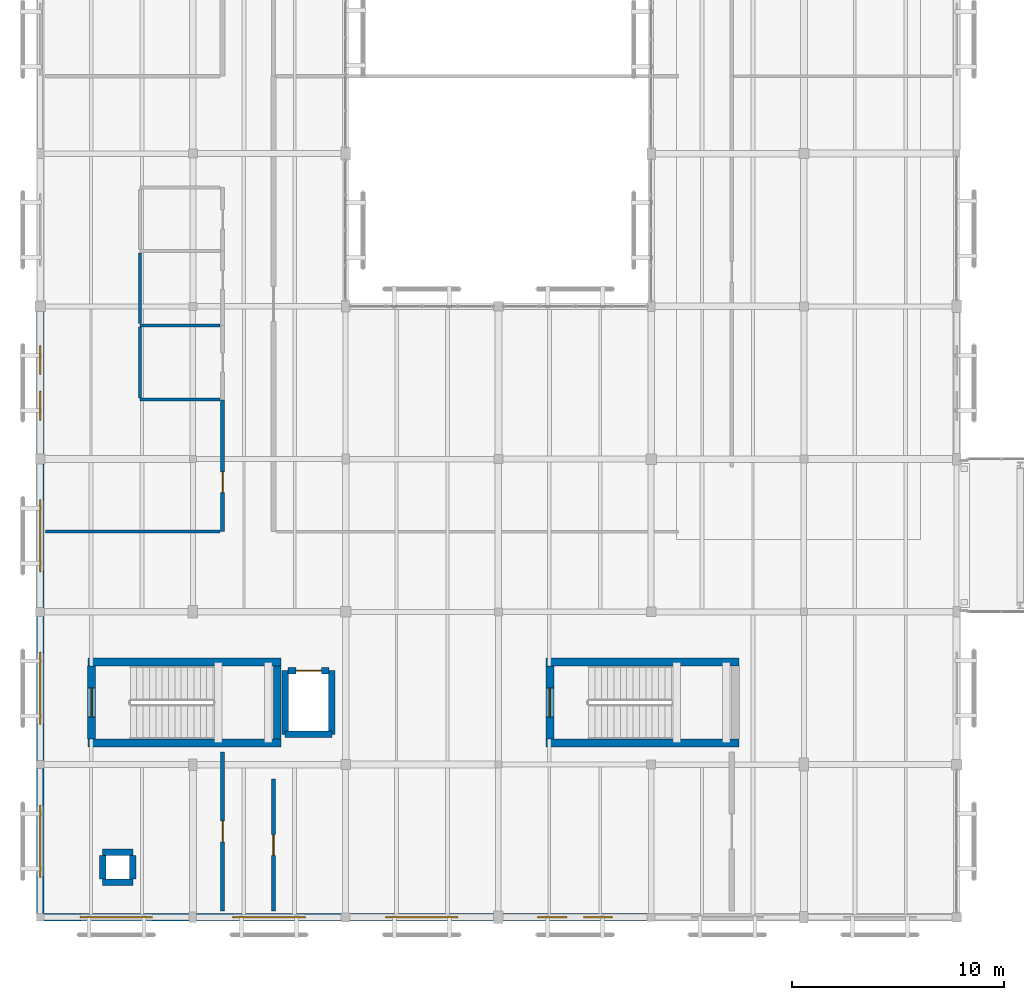
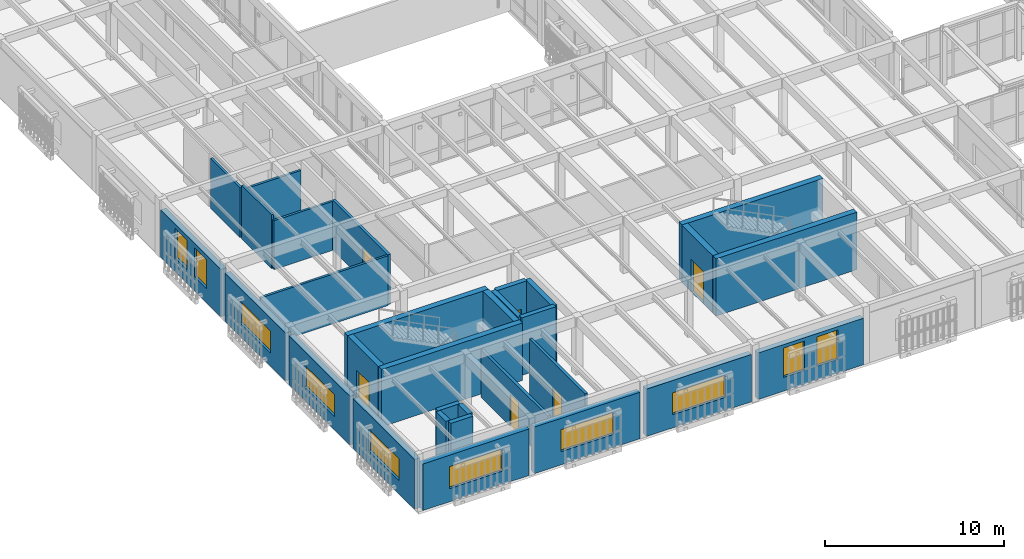
# One storey, part 79 of 112: 31 walls, 10 windows, 6 doors, 16 openings.
"""IFC4 building model written with IfcOpenShell, lengths in metres."""

from ifc_helpers import new_model, si_unit, direction, frame, frame_2d, origin, place, context, subcontext, project, spatial, rectangle, extrude, material, layer, layer_set, type_object, element, fill, save


model = new_model("IFC4")

# Units and contexts
model_context = context("Model", 3, precision=1e-05, world=origin(), true_north=direction((0.0, 1.0)))
body_context = subcontext(model_context, "Body", "Model", "MODEL_VIEW")
ifc_project = project(units=[si_unit("LENGTHUNIT", "METRE"), si_unit("AREAUNIT", "SQUARE_METRE"), si_unit("VOLUMEUNIT", "CUBIC_METRE"), si_unit("PLANEANGLEUNIT", "RADIAN"), si_unit("MASSUNIT", "GRAM", prefix="KILO")], contexts=[model_context])

# Site, building, storey
site_placement = place(None, origin())
site = spatial("IfcSite", under=ifc_project, at=site_placement, CompositionType="ELEMENT")
building_placement = place(site_placement, origin())
building = spatial("IfcBuilding", under=site, at=building_placement, Name="Mazaris Harbour Polytechnic", CompositionType="ELEMENT")
storey_placement = place(building_placement, frame((0.0, 0.0, 13.800048828125)))
storey = spatial("IfcBuildingStorey", under=building, at=storey_placement, Name="L03", CompositionType="ELEMENT", Elevation=13.800048828125)

# Wall
ifc_material_1 = material(Name="Double Gypsum and Mineral Wool")
ifc_layer_1 = layer(ifc_material_1, 0.14990234375, Name="Double Gypsum and Mineral Wool")
ifc_layer_set_1 = layer_set([ifc_layer_1], Name="Double Gypsum and Mineral Wool")
wall_type_1 = type_object("IfcWallType", Name="Classroom Acoustic Partition 150", PredefinedType="PARTITIONING", material=ifc_layer_set_1)
wall_1_placement = place(storey_placement, frame((0.25, 25.385009765625, 0.0), z_axis=(0.0, 0.0, 1.0), x_axis=(1.0, 0.0, 0.0)))
element("IfcWall", 1, at=wall_1_placement, inside=storey, type_object=wall_type_1, Name="V4 L03 Partition 409", PredefinedType="PARTITIONING", context=body_context, shape_type="SweptSolid", body=[
    extrude(rectangle(XDim=8.22998046875, YDim=0.14990234375, at=frame_2d((4.114990234375, 0.0))), origin(), (0.0, 0.0, 1.0), 3.39990234375),
])

# Wall, opening, door
ifc_material_2 = material(Name="Terracotta Block and Plaster", Category="masonry")
ifc_layer_2 = layer(ifc_material_2, 0.179931640625, Name="Terracotta Block and Plaster")
ifc_layer_set_2 = layer_set([ifc_layer_2], Name="Terracotta Block and Plaster")
wall_type_2 = type_object("IfcWallType", Name="Corridor Fire Partition 180", PredefinedType="PARTITIONING", material=ifc_layer_set_2)
wall_2_placement = place(storey_placement, frame((8.60009765625, 7.5, 0.0), z_axis=(0.0, 0.0, 1.0), x_axis=(0.0, 1.0, 0.0)))
wall_2 = element("IfcWall", 2, at=wall_2_placement, inside=storey, type_object=wall_type_2, Name="V4 L03 Partition 408", PredefinedType="PARTITIONING", context=body_context, shape_type="SweptSolid", body=[
    extrude(rectangle(XDim=7.4951171875, YDim=0.179931640625, at=frame_2d((3.74755859375, 0.0))), origin(), (0.0, 0.0, 1.0), 3.239990234375),
])
opening_1_placement = place(wall_2_placement, frame((3.25244140625, 0.0, 0.0)))
opening_1 = element("IfcOpeningElement", 3, at=opening_1_placement, cuts=wall_2, Name="Opening ID-08R", PredefinedType="OPENING", context=body_context, shape_type="SweptSolid", body=[
    extrude(rectangle(XDim=0.989990234375, YDim=2.179931640625, at=frame_2d((0.4951171875, 1.08984375))), frame((0.0, 0.099853515625, 0.0), z_axis=(0.0, -1.0, 0.0), x_axis=(1.0, 0.0, 0.0)), (0.0, 0.0, 1.0), 0.199951171875),
])
ifc_material_3 = material(Name="Solid Oak Timber", Category="wood")
door_type_1 = type_object("IfcDoorType", Name="Seminar Room Door RH 990x2180", OperationType="SINGLE_SWING_RIGHT", PredefinedType="DOOR", material=ifc_material_3)
door_1_placement = place(opening_1_placement, origin())
door_1 = element("IfcDoor", 4, at=door_1_placement, inside=storey, type_object=door_type_1, Name="ID-0192", OperationType="SINGLE_SWING_RIGHT", OverallHeight=2.179931640625, OverallWidth=0.989990234375, PredefinedType="DOOR", context=body_context, shape_type="SweptSolid", body=[
    extrude(rectangle(XDim=0.989990234375, YDim=2.179931640625, at=frame_2d((0.4951171875, 1.08984375))), frame((0.0, 0.02490234375, 0.0), z_axis=(0.0, -1.0, 0.0), x_axis=(1.0, 0.0, 0.0)), (0.0, 0.0, 1.0), 0.050048828125),
])
fill(opening_1, door_1)

wall_3_placement = place(storey_placement, frame((8.60009765625, 25.385009765625, 0.0), z_axis=(0.0, 0.0, 1.0), x_axis=(0.0, 1.0, 0.0)))
wall_3 = element("IfcWall", 5, at=wall_3_placement, inside=storey, type_object=wall_type_2, Name="V4 L03 Partition 410", PredefinedType="PARTITIONING", context=body_context, shape_type="SweptSolid", body=[
    extrude(rectangle(XDim=6.2099609375, YDim=0.179931640625, at=frame_2d((3.10498046875, 0.0))), origin(), (0.0, 0.0, 1.0), 3.39990234375),
])
opening_2_placement = place(wall_3_placement, frame((1.83056640625, 0.0, 0.0)))
opening_2 = element("IfcOpeningElement", 6, at=opening_2_placement, cuts=wall_3, Name="Opening ID-08L", PredefinedType="OPENING", context=body_context, shape_type="SweptSolid", body=[
    extrude(rectangle(XDim=0.97998046875, YDim=2.179931640625, at=frame_2d((0.489990234375, 1.08984375))), frame((0.0, 0.099853515625, 0.0), z_axis=(0.0, -1.0, 0.0), x_axis=(1.0, 0.0, 0.0)), (0.0, 0.0, 1.0), 0.199951171875),
])
ifc_material_4 = material(Name="Solid Oak Timber", Category="wood")
door_type_2 = type_object("IfcDoorType", Name="Seminar Room Door LH 980x2180", OperationType="SINGLE_SWING_LEFT", PredefinedType="DOOR", material=ifc_material_4)
door_2_placement = place(opening_2_placement, origin())
door_2 = element("IfcDoor", 7, at=door_2_placement, inside=storey, type_object=door_type_2, Name="ID-0193", OperationType="SINGLE_SWING_LEFT", OverallHeight=2.179931640625, OverallWidth=0.97998046875, PredefinedType="DOOR", context=body_context, shape_type="SweptSolid", body=[
    extrude(rectangle(XDim=0.97998046875, YDim=2.179931640625, at=frame_2d((0.489990234375, 1.08984375))), frame((0.0, 0.02490234375, 0.0), z_axis=(0.0, -1.0, 0.0), x_axis=(1.0, 0.0, 0.0)), (0.0, 0.0, 1.0), 0.050048828125),
])
fill(opening_2, door_2)

wall_4_placement = place(storey_placement, frame((11.0, 7.5, 0.0), z_axis=(0.0, 0.0, 1.0), x_axis=(0.0, 1.0, 0.0)))
wall_4 = element("IfcWall", 8, at=wall_4_placement, inside=storey, type_object=wall_type_2, Name="V4 L03 Partition 417", PredefinedType="PARTITIONING", context=body_context, shape_type="SweptSolid", body=[
    extrude(rectangle(XDim=6.219970703125, YDim=0.179931640625, at=frame_2d((3.10986328125, 0.0))), origin(), (0.0, 0.0, 1.0), 3.919921875),
])
opening_3_placement = place(wall_4_placement, frame((2.6201171875, 0.0, 0.0)))
opening_3 = element("IfcOpeningElement", 9, at=opening_3_placement, cuts=wall_4, Name="Opening ID-08L", PredefinedType="OPENING", context=body_context, shape_type="SweptSolid", body=[
    extrude(rectangle(XDim=0.97998046875, YDim=2.179931640625, at=frame_2d((0.489990234375, 1.08984375))), frame((0.0, 0.099853515625, 0.0), z_axis=(0.0, -1.0, 0.0), x_axis=(1.0, 0.0, 0.0)), (0.0, 0.0, 1.0), 0.199951171875),
])
door_3_placement = place(opening_3_placement, origin())
door_3 = element("IfcDoor", 10, at=door_3_placement, inside=storey, type_object=door_type_2, Name="ID-0197", OperationType="SINGLE_SWING_LEFT", OverallHeight=2.179931640625, OverallWidth=0.97998046875, PredefinedType="DOOR", context=body_context, shape_type="SweptSolid", body=[
    extrude(rectangle(XDim=0.97998046875, YDim=2.179931640625, at=frame_2d((0.489990234375, 1.08984375))), frame((0.0, 0.02490234375, 0.0), z_axis=(0.0, -1.0, 0.0), x_axis=(1.0, 0.0, 0.0)), (0.0, 0.0, 1.0), 0.050048828125),
])
fill(opening_3, door_3)

# Wall, opening, window
ifc_material_5 = material(Name="Algerian Buff Limestone and Concrete C30/37", Category="masonry")
ifc_layer_3 = layer(ifc_material_5, 0.360107421875, Name="Algerian Buff Limestone and Concrete C30/37")
ifc_layer_set_3 = layer_set([ifc_layer_3], Name="Algerian Buff Limestone and Concrete C30/37")
wall_type_3 = type_object("IfcWallType", Name="Limestone Ashlar Exterior Wall 360", PredefinedType="STANDARD", material=ifc_layer_set_3)
wall_5_placement = place(storey_placement, frame((7.028076171875, 7.199951171875, 0.0), z_axis=(0.0, 0.0, 1.0), x_axis=(-1.0, 0.0, 0.0)))
wall_5 = element("IfcWall", 11, at=wall_5_placement, inside=storey, type_object=wall_type_3, Name="V4 L03 Exterior Wall 216", PredefinedType="STANDARD", context=body_context, shape_type="SweptSolid", body=[
    extrude(rectangle(XDim=6.865966796875, YDim=0.360107421875, at=frame_2d((3.43310546875, 0.0))), origin(), (0.0, 0.0, 1.0), 3.179931640625),
])
opening_4_placement = place(wall_5_placement, frame((1.73291015625, 0.0, 0.89990234375)))
opening_4 = element("IfcOpeningElement", 12, at=opening_4_placement, cuts=wall_5, Name="Opening WN-16", PredefinedType="OPENING", context=body_context, shape_type="SweptSolid", body=[
    extrude(rectangle(XDim=3.39990234375, YDim=1.5, at=frame_2d((1.699951171875, 0.75))), frame((0.0, 0.18994140625, 0.0), z_axis=(0.0, -1.0, 0.0), x_axis=(1.0, 0.0, 0.0)), (0.0, 0.0, 1.0), 0.380126953125),
])
ifc_material_6 = material(Name="Thermally Broken Bronze Aluminium and Low-E Glass", Category="aluminium")
window_type_1 = type_object("IfcWindowType", Name="Workshop Clerestory Ribbon 3400x1500", PartitioningType="DOUBLE_PANEL_VERTICAL", PredefinedType="WINDOW", material=ifc_material_6)
window_1_placement = place(opening_4_placement, origin())
window_1 = element("IfcWindow", 13, at=window_1_placement, inside=storey, type_object=window_type_1, Name="WN-0218", OverallHeight=1.5, OverallWidth=3.39990234375, PartitioningType="DOUBLE_PANEL_VERTICAL", PredefinedType="WINDOW", context=body_context, shape_type="SweptSolid", body=[
    extrude(rectangle(XDim=3.39990234375, YDim=1.5, at=frame_2d((1.699951171875, 0.75))), frame((0.0, 0.030029296875, 0.0), z_axis=(0.0, -1.0, 0.0), x_axis=(1.0, 0.0, 0.0)), (0.0, 0.0, 1.0), 0.06005859375),
])
fill(opening_4, window_1)

wall_6_placement = place(storey_placement, frame((14.197998046875, 7.199951171875, 0.0), z_axis=(0.0, 0.0, 1.0), x_axis=(-1.0, 0.0, 0.0)))
wall_6 = element("IfcWall", 14, at=wall_6_placement, inside=storey, type_object=wall_type_3, Name="V4 L03 Exterior Wall 217", PredefinedType="STANDARD", context=body_context, shape_type="SweptSolid", body=[
    extrude(rectangle(XDim=6.825927734375, YDim=0.360107421875, at=frame_2d((3.4130859375, 0.0))), origin(), (0.0, 0.0, 1.0), 3.179931640625),
])
opening_5_placement = place(wall_6_placement, frame((1.712890625, 0.0, 0.89990234375)))
opening_5 = element("IfcOpeningElement", 15, at=opening_5_placement, cuts=wall_6, Name="Opening WN-16", PredefinedType="OPENING", context=body_context, shape_type="SweptSolid", body=[
    extrude(rectangle(XDim=3.39990234375, YDim=1.5, at=frame_2d((1.699951171875, 0.75))), frame((0.0, 0.18994140625, 0.0), z_axis=(0.0, -1.0, 0.0), x_axis=(1.0, 0.0, 0.0)), (0.0, 0.0, 1.0), 0.380126953125),
])
window_2_placement = place(opening_5_placement, origin())
window_2 = element("IfcWindow", 16, at=window_2_placement, inside=storey, type_object=window_type_1, Name="WN-0219", OverallHeight=1.5, OverallWidth=3.39990234375, PartitioningType="DOUBLE_PANEL_VERTICAL", PredefinedType="WINDOW", context=body_context, shape_type="SweptSolid", body=[
    extrude(rectangle(XDim=3.39990234375, YDim=1.5, at=frame_2d((1.699951171875, 0.75))), frame((0.0, 0.030029296875, 0.0), z_axis=(0.0, -1.0, 0.0), x_axis=(1.0, 0.0, 0.0)), (0.0, 0.0, 1.0), 0.06005859375),
])
fill(opening_5, window_2)

wall_7_placement = place(storey_placement, frame((21.387939453125, 7.199951171875, 0.0), z_axis=(0.0, 0.0, 1.0), x_axis=(-1.0, 0.0, 0.0)))
wall_7 = element("IfcWall", 17, at=wall_7_placement, inside=storey, type_object=wall_type_3, Name="V4 L03 Exterior Wall 218", PredefinedType="STANDARD", context=body_context, shape_type="SweptSolid", body=[
    extrude(rectangle(XDim=6.785888671875, YDim=0.360107421875, at=frame_2d((3.39306640625, 0.0))), origin(), (0.0, 0.0, 1.0), 3.239990234375),
])
opening_6_placement = place(wall_7_placement, frame((1.693115234375, 0.0, 0.89990234375)))
opening_6 = element("IfcOpeningElement", 18, at=opening_6_placement, cuts=wall_7, Name="Opening WN-16", PredefinedType="OPENING", context=body_context, shape_type="SweptSolid", body=[
    extrude(rectangle(XDim=3.39990234375, YDim=1.5, at=frame_2d((1.699951171875, 0.75))), frame((0.0, 0.18994140625, 0.0), z_axis=(0.0, -1.0, 0.0), x_axis=(1.0, 0.0, 0.0)), (0.0, 0.0, 1.0), 0.380126953125),
])
window_3_placement = place(opening_6_placement, origin())
window_3 = element("IfcWindow", 19, at=window_3_placement, inside=storey, type_object=window_type_1, Name="WN-0220", OverallHeight=1.5, OverallWidth=3.39990234375, PartitioningType="DOUBLE_PANEL_VERTICAL", PredefinedType="WINDOW", context=body_context, shape_type="SweptSolid", body=[
    extrude(rectangle(XDim=3.39990234375, YDim=1.5, at=frame_2d((1.699951171875, 0.75))), frame((0.0, 0.030029296875, 0.0), z_axis=(0.0, -1.0, 0.0), x_axis=(1.0, 0.0, 0.0)), (0.0, 0.0, 1.0), 0.06005859375),
])
fill(opening_6, window_3)

# Wall, openings, windows
wall_8_placement = place(storey_placement, frame((28.617919921875, 7.199951171875, 0.0), z_axis=(0.0, 0.0, 1.0), x_axis=(-1.0, 0.0, 0.0)))
wall_8 = element("IfcWall", 20, at=wall_8_placement, inside=storey, type_object=wall_type_3, Name="V4 L03 Exterior Wall 219", PredefinedType="STANDARD", context=body_context, shape_type="SweptSolid", body=[
    extrude(rectangle(XDim=6.805908203125, YDim=0.360107421875, at=frame_2d((3.40283203125, 0.0))), origin(), (0.0, 0.0, 1.0), 3.179931640625),
])
opening_7_placement = place(wall_8_placement, frame((1.653076171875, 0.0, 0.949951171875)))
opening_7 = element("IfcOpeningElement", 21, at=opening_7_placement, cuts=wall_8, Name="Opening WN-30", PredefinedType="OPENING", context=body_context, shape_type="SweptSolid", body=[
    extrude(rectangle(XDim=1.35009765625, YDim=2.0, at=frame_2d((0.675048828125, 1.0))), frame((0.0, 0.18994140625, 0.0), z_axis=(0.0, -1.0, 0.0), x_axis=(1.0, 0.0, 0.0)), (0.0, 0.0, 1.0), 0.380126953125),
])
opening_8_placement = place(wall_8_placement, frame((3.802978515625, 0.0, 0.949951171875)))
opening_8 = element("IfcOpeningElement", 22, at=opening_8_placement, cuts=wall_8, Name="Opening WN-30", PredefinedType="OPENING", context=body_context, shape_type="SweptSolid", body=[
    extrude(rectangle(XDim=1.35009765625, YDim=2.0, at=frame_2d((0.675048828125, 1.0))), frame((0.0, 0.18994140625, 0.0), z_axis=(0.0, -1.0, 0.0), x_axis=(1.0, 0.0, 0.0)), (0.0, 0.0, 1.0), 0.380126953125),
])
ifc_material_7 = material(Name="Thermally Broken Bronze Aluminium and Low-E Glass", Category="aluminium")
window_type_2 = type_object("IfcWindowType", Name="Pavilion Side Window 1350x2000", PartitioningType="DOUBLE_PANEL_VERTICAL", PredefinedType="WINDOW", material=ifc_material_7)
window_4_placement = place(opening_7_placement, origin())
window_4 = element("IfcWindow", 23, at=window_4_placement, inside=storey, type_object=window_type_2, Name="WN-0221", OverallHeight=2.0, OverallWidth=1.35009765625, PartitioningType="DOUBLE_PANEL_VERTICAL", PredefinedType="WINDOW", context=body_context, shape_type="SweptSolid", body=[
    extrude(rectangle(XDim=1.35009765625, YDim=2.0, at=frame_2d((0.675048828125, 1.0))), frame((0.0, 0.030029296875, 0.0), z_axis=(0.0, -1.0, 0.0), x_axis=(1.0, 0.0, 0.0)), (0.0, 0.0, 1.0), 0.06005859375),
])
fill(opening_7, window_4)
window_5_placement = place(opening_8_placement, origin())
window_5 = element("IfcWindow", 24, at=window_5_placement, inside=storey, type_object=window_type_2, Name="WN-0222", OverallHeight=2.0, OverallWidth=1.35009765625, PartitioningType="DOUBLE_PANEL_VERTICAL", PredefinedType="WINDOW", context=body_context, shape_type="SweptSolid", body=[
    extrude(rectangle(XDim=1.35009765625, YDim=2.0, at=frame_2d((0.675048828125, 1.0))), frame((0.0, 0.030029296875, 0.0), z_axis=(0.0, -1.0, 0.0), x_axis=(1.0, 0.0, 0.0)), (0.0, 0.0, 1.0), 0.06005859375),
])
fill(opening_8, window_5)

# Wall, opening, window
wall_9_placement = place(storey_placement, frame((0.0, 7.362060546875, 0.0), z_axis=(0.0, 0.0, 1.0), x_axis=(0.0, 1.0, 0.0)))
wall_9 = element("IfcWall", 25, at=wall_9_placement, inside=storey, type_object=wall_type_3, Name="V4 L03 Exterior Wall 228", PredefinedType="STANDARD", context=body_context, shape_type="SweptSolid", body=[
    extrude(rectangle(XDim=6.85595703125, YDim=0.360107421875, at=frame_2d((3.427978515625, 0.0))), origin(), (0.0, 0.0, 1.0), 3.39990234375),
])
opening_9_placement = place(wall_9_placement, frame((1.72802734375, 0.0, 0.89990234375)))
opening_9 = element("IfcOpeningElement", 26, at=opening_9_placement, cuts=wall_9, Name="Opening WN-16", PredefinedType="OPENING", context=body_context, shape_type="SweptSolid", body=[
    extrude(rectangle(XDim=3.39990234375, YDim=1.5, at=frame_2d((1.699951171875, 0.75))), frame((0.0, 0.18994140625, 0.0), z_axis=(0.0, -1.0, 0.0), x_axis=(1.0, 0.0, 0.0)), (0.0, 0.0, 1.0), 0.380126953125),
])
window_6_placement = place(opening_9_placement, origin())
window_6 = element("IfcWindow", 27, at=window_6_placement, inside=storey, type_object=window_type_1, Name="WN-0237", OverallHeight=1.5, OverallWidth=3.39990234375, PartitioningType="DOUBLE_PANEL_VERTICAL", PredefinedType="WINDOW", context=body_context, shape_type="SweptSolid", body=[
    extrude(rectangle(XDim=3.39990234375, YDim=1.5, at=frame_2d((1.699951171875, 0.75))), frame((0.0, 0.030029296875, 0.0), z_axis=(0.0, -1.0, 0.0), x_axis=(1.0, 0.0, 0.0)), (0.0, 0.0, 1.0), 0.06005859375),
])
fill(opening_9, window_6)

wall_10_placement = place(storey_placement, frame((0.0, 14.58203125, 0.0), z_axis=(0.0, 0.0, 1.0), x_axis=(0.0, 1.0, 0.0)))
wall_10 = element("IfcWall", 28, at=wall_10_placement, inside=storey, type_object=wall_type_3, Name="V4 L03 Exterior Wall 229", PredefinedType="STANDARD", context=body_context, shape_type="SweptSolid", body=[
    extrude(rectangle(XDim=6.81591796875, YDim=0.360107421875, at=frame_2d((3.407958984375, 0.0))), origin(), (0.0, 0.0, 1.0), 3.33984375),
])
opening_10_placement = place(wall_10_placement, frame((1.7080078125, 0.0, 0.89990234375)))
opening_10 = element("IfcOpeningElement", 29, at=opening_10_placement, cuts=wall_10, Name="Opening WN-16", PredefinedType="OPENING", context=body_context, shape_type="SweptSolid", body=[
    extrude(rectangle(XDim=3.39990234375, YDim=1.5, at=frame_2d((1.699951171875, 0.75))), frame((0.0, 0.18994140625, 0.0), z_axis=(0.0, -1.0, 0.0), x_axis=(1.0, 0.0, 0.0)), (0.0, 0.0, 1.0), 0.380126953125),
])
window_7_placement = place(opening_10_placement, origin())
window_7 = element("IfcWindow", 30, at=window_7_placement, inside=storey, type_object=window_type_1, Name="WN-0238", OverallHeight=1.5, OverallWidth=3.39990234375, PartitioningType="DOUBLE_PANEL_VERTICAL", PredefinedType="WINDOW", context=body_context, shape_type="SweptSolid", body=[
    extrude(rectangle(XDim=3.39990234375, YDim=1.5, at=frame_2d((1.699951171875, 0.75))), frame((0.0, 0.030029296875, 0.0), z_axis=(0.0, -1.0, 0.0), x_axis=(1.0, 0.0, 0.0)), (0.0, 0.0, 1.0), 0.06005859375),
])
fill(opening_10, window_7)

wall_11_placement = place(storey_placement, frame((0.0, 21.802001953125, 0.0), z_axis=(0.0, 0.0, 1.0), x_axis=(0.0, 1.0, 0.0)))
wall_11 = element("IfcWall", 31, at=wall_11_placement, inside=storey, type_object=wall_type_3, Name="V4 L03 Exterior Wall 230", PredefinedType="STANDARD", context=body_context, shape_type="SweptSolid", body=[
    extrude(rectangle(XDim=6.77587890625, YDim=0.360107421875, at=frame_2d((3.387939453125, 0.0))), origin(), (0.0, 0.0, 1.0), 3.280029296875),
])
opening_11_placement = place(wall_11_placement, frame((1.68798828125, 0.0, 0.89990234375)))
opening_11 = element("IfcOpeningElement", 32, at=opening_11_placement, cuts=wall_11, Name="Opening WN-16", PredefinedType="OPENING", context=body_context, shape_type="SweptSolid", body=[
    extrude(rectangle(XDim=3.39990234375, YDim=1.5, at=frame_2d((1.699951171875, 0.75))), frame((0.0, 0.18994140625, 0.0), z_axis=(0.0, -1.0, 0.0), x_axis=(1.0, 0.0, 0.0)), (0.0, 0.0, 1.0), 0.380126953125),
])
window_8_placement = place(opening_11_placement, origin())
window_8 = element("IfcWindow", 33, at=window_8_placement, inside=storey, type_object=window_type_1, Name="WN-0239", OverallHeight=1.5, OverallWidth=3.39990234375, PartitioningType="DOUBLE_PANEL_VERTICAL", PredefinedType="WINDOW", context=body_context, shape_type="SweptSolid", body=[
    extrude(rectangle(XDim=3.39990234375, YDim=1.5, at=frame_2d((1.699951171875, 0.75))), frame((0.0, 0.030029296875, 0.0), z_axis=(0.0, -1.0, 0.0), x_axis=(1.0, 0.0, 0.0)), (0.0, 0.0, 1.0), 0.06005859375),
])
fill(opening_11, window_8)

# Wall, openings, windows
wall_12_placement = place(storey_placement, frame((0.0, 29.02197265625, 0.0), z_axis=(0.0, 0.0, 1.0), x_axis=(0.0, 1.0, 0.0)))
wall_12 = element("IfcWall", 34, at=wall_12_placement, inside=storey, type_object=wall_type_3, Name="V4 L03 Exterior Wall 231", PredefinedType="STANDARD", context=body_context, shape_type="SweptSolid", body=[
    extrude(rectangle(XDim=6.736083984375, YDim=0.360107421875, at=frame_2d((3.3681640625, 0.0))), origin(), (0.0, 0.0, 1.0), 3.239990234375),
])
opening_12_placement = place(wall_12_placement, frame((1.617919921875, 0.0, 0.949951171875)))
opening_12 = element("IfcOpeningElement", 35, at=opening_12_placement, cuts=wall_12, Name="Opening WN-30", PredefinedType="OPENING", context=body_context, shape_type="SweptSolid", body=[
    extrude(rectangle(XDim=1.35009765625, YDim=2.0, at=frame_2d((0.675048828125, 1.0))), frame((0.0, 0.18994140625, 0.0), z_axis=(0.0, -1.0, 0.0), x_axis=(1.0, 0.0, 0.0)), (0.0, 0.0, 1.0), 0.380126953125),
])
opening_13_placement = place(wall_12_placement, frame((3.76806640625, 0.0, 0.949951171875)))
opening_13 = element("IfcOpeningElement", 36, at=opening_13_placement, cuts=wall_12, Name="Opening WN-30", PredefinedType="OPENING", context=body_context, shape_type="SweptSolid", body=[
    extrude(rectangle(XDim=1.35009765625, YDim=2.0, at=frame_2d((0.675048828125, 1.0))), frame((0.0, 0.18994140625, 0.0), z_axis=(0.0, -1.0, 0.0), x_axis=(1.0, 0.0, 0.0)), (0.0, 0.0, 1.0), 0.380126953125),
])
window_9_placement = place(opening_12_placement, origin())
window_9 = element("IfcWindow", 37, at=window_9_placement, inside=storey, type_object=window_type_2, Name="WN-0240", OverallHeight=2.0, OverallWidth=1.35009765625, PartitioningType="DOUBLE_PANEL_VERTICAL", PredefinedType="WINDOW", context=body_context, shape_type="SweptSolid", body=[
    extrude(rectangle(XDim=1.35009765625, YDim=2.0, at=frame_2d((0.675048828125, 1.0))), frame((0.0, 0.030029296875, 0.0), z_axis=(0.0, -1.0, 0.0), x_axis=(1.0, 0.0, 0.0)), (0.0, 0.0, 1.0), 0.06005859375),
])
fill(opening_12, window_9)
window_10_placement = place(opening_13_placement, origin())
window_10 = element("IfcWindow", 38, at=window_10_placement, inside=storey, type_object=window_type_2, Name="WN-0241", OverallHeight=2.0, OverallWidth=1.35009765625, PartitioningType="DOUBLE_PANEL_VERTICAL", PredefinedType="WINDOW", context=body_context, shape_type="SweptSolid", body=[
    extrude(rectangle(XDim=1.35009765625, YDim=2.0, at=frame_2d((0.675048828125, 1.0))), frame((0.0, 0.030029296875, 0.0), z_axis=(0.0, -1.0, 0.0), x_axis=(1.0, 0.0, 0.0)), (0.0, 0.0, 1.0), 0.06005859375),
])
fill(opening_13, window_10)

# Walls
ifc_material_8 = material(Name="Concrete C40/50", Category="concrete")
ifc_layer_4 = layer(ifc_material_8, 0.375, Name="Concrete C40/50")
ifc_layer_set_4 = layer_set([ifc_layer_4], Name="Concrete C40/50")
wall_type_4 = type_object("IfcWallType", Name="RC Core Shear Wall 375", PredefinedType="SHEAR", material=ifc_layer_set_4)
for number, where, z_axis, x_axis, name in (
    (39, (2.25, 15.425048828125, 0.0), (0.0, 0.0, 1.0), (1.0, 0.0, 0.0), "Core ST07 L03 Shear Wall S"),
    (40, (11.35009765625, 19.22509765625, 0.0), (0.0, 0.0, 1.0), (-1.0, 0.0, 0.0), "Core ST07 L03 Shear Wall N"),
):
    element("IfcWall", number, at=place(storey_placement, frame(where, z_axis=z_axis, x_axis=x_axis)), inside=storey, type_object=wall_type_4, Name=name, PredefinedType="SHEAR", context=body_context, shape_type="SweptSolid", body=[
        extrude(rectangle(XDim=9.10009765625, YDim=0.375, at=frame_2d((4.550048828125, 0.0))), origin(), (0.0, 0.0, 1.0), 3.919921875),
    ])
wall_13_placement = place(storey_placement, frame((11.175048828125, 15.60009765625, 0.0), z_axis=(0.0, 0.0, 1.0), x_axis=(0.0, 1.0, 0.0)))
element("IfcWall", 41, at=wall_13_placement, inside=storey, type_object=wall_type_4, Name="Core ST07 L03 Shear Wall E", PredefinedType="SHEAR", context=body_context, shape_type="SweptSolid", body=[
    extrude(rectangle(XDim=3.449951171875, YDim=0.375, at=frame_2d((1.72509765625, 0.0))), origin(), (0.0, 0.0, 1.0), 3.919921875),
])
for number, where, z_axis, x_axis, name in (
    (42, (23.85009765625, 15.425048828125, 0.0), (0.0, 0.0, 1.0), (1.0, 0.0, 0.0), "Core ST08 L03 Shear Wall S"),
    (43, (32.949951171875, 19.22509765625, 0.0), (0.0, 0.0, 1.0), (-1.0, 0.0, 0.0), "Core ST08 L03 Shear Wall N"),
):
    element("IfcWall", number, at=place(storey_placement, frame(where, z_axis=z_axis, x_axis=x_axis)), inside=storey, type_object=wall_type_4, Name=name, PredefinedType="SHEAR", context=body_context, shape_type="SweptSolid", body=[
        extrude(rectangle(XDim=9.099853515625, YDim=0.375, at=frame_2d((4.5498046875, 0.0))), origin(), (0.0, 0.0, 1.0), 3.919921875),
    ])

# Wall, opening, door
wall_14_placement = place(storey_placement, frame((2.425048828125, 19.050048828125, 0.0), z_axis=(0.0, 0.0, 1.0), x_axis=(0.0, -1.0, 0.0)))
wall_14 = element("IfcWall", 44, at=wall_14_placement, inside=storey, type_object=wall_type_4, Name="Core ST07 L03 Entrance Shear Wall", PredefinedType="SHEAR", context=body_context, shape_type="SweptSolid", body=[
    extrude(rectangle(XDim=3.449951171875, YDim=0.375, at=frame_2d((1.72509765625, 0.0))), origin(), (0.0, 0.0, 1.0), 3.919921875),
])
opening_14_placement = place(wall_14_placement, frame((1.034912109375, 0.0, 0.0)))
opening_14 = element("IfcOpeningElement", 45, at=opening_14_placement, cuts=wall_14, Name="Opening SD-01", PredefinedType="OPENING", context=body_context, shape_type="SweptSolid", body=[
    extrude(rectangle(XDim=1.3798828125, YDim=2.199951171875, at=frame_2d((0.68994140625, 1.10009765625))), frame((0.0, 0.197509765625, 0.0), z_axis=(0.0, -1.0, 0.0), x_axis=(1.0, 0.0, 0.0)), (0.0, 0.0, 1.0), 0.39501953125),
])
ifc_material_9 = material(Name="Glulam Timber and Fire Glass", Category="wood")
door_type_3 = type_object("IfcDoorType", Name="Protected Stair Lobby Fire Door 1380x2200", OperationType="DOUBLE_DOOR_SINGLE_SWING", PredefinedType="DOOR", material=ifc_material_9)
door_4_placement = place(opening_14_placement, origin())
door_4 = element("IfcDoor", 46, at=door_4_placement, inside=storey, type_object=door_type_3, Name="SD-032", OperationType="DOUBLE_DOOR_SINGLE_SWING", OverallHeight=2.199951171875, OverallWidth=1.3798828125, PredefinedType="DOOR", context=body_context, shape_type="SweptSolid", body=[
    extrude(rectangle(XDim=1.3798828125, YDim=2.199951171875, at=frame_2d((0.68994140625, 1.10009765625))), frame((0.0, 0.02490234375, 0.0), z_axis=(0.0, -1.0, 0.0), x_axis=(1.0, 0.0, 0.0)), (0.0, 0.0, 1.0), 0.050048828125),
])
fill(opening_14, door_4)

wall_15_placement = place(storey_placement, frame((24.02490234375, 19.050048828125, 0.0), z_axis=(0.0, 0.0, 1.0), x_axis=(0.0, -1.0, 0.0)))
wall_15 = element("IfcWall", 47, at=wall_15_placement, inside=storey, type_object=wall_type_4, Name="Core ST08 L03 Entrance Shear Wall", PredefinedType="SHEAR", context=body_context, shape_type="SweptSolid", body=[
    extrude(rectangle(XDim=3.449951171875, YDim=0.375, at=frame_2d((1.72509765625, 0.0))), origin(), (0.0, 0.0, 1.0), 3.919921875),
])
opening_15_placement = place(wall_15_placement, frame((1.034912109375, 0.0, 0.0)))
opening_15 = element("IfcOpeningElement", 48, at=opening_15_placement, cuts=wall_15, Name="Opening SD-01", PredefinedType="OPENING", context=body_context, shape_type="SweptSolid", body=[
    extrude(rectangle(XDim=1.3798828125, YDim=2.199951171875, at=frame_2d((0.68994140625, 1.10009765625))), frame((0.0, 0.197509765625, 0.0), z_axis=(0.0, -1.0, 0.0), x_axis=(1.0, 0.0, 0.0)), (0.0, 0.0, 1.0), 0.39501953125),
])
door_5_placement = place(opening_15_placement, origin())
door_5 = element("IfcDoor", 49, at=door_5_placement, inside=storey, type_object=door_type_3, Name="SD-039", OperationType="DOUBLE_DOOR_SINGLE_SWING", OverallHeight=2.199951171875, OverallWidth=1.3798828125, PredefinedType="DOOR", context=body_context, shape_type="SweptSolid", body=[
    extrude(rectangle(XDim=1.3798828125, YDim=2.199951171875, at=frame_2d((0.68994140625, 1.10009765625))), frame((0.0, 0.02490234375, 0.0), z_axis=(0.0, -1.0, 0.0), x_axis=(1.0, 0.0, 0.0)), (0.0, 0.0, 1.0), 0.050048828125),
])
fill(opening_15, door_5)

# Walls
ifc_material_10 = material(Name="Concrete C40/50", Category="concrete")
ifc_layer_5 = layer(ifc_material_10, 0.300048828125, Name="Concrete C40/50")
ifc_layer_set_5 = layer_set([ifc_layer_5], Name="Concrete C40/50")
wall_type_5 = type_object("IfcWallType", Name="RC Lift Shaft Wall 300", PredefinedType="SHEAR", material=ifc_layer_set_5)
wall_16_placement = place(storey_placement, frame((2.949951171875, 8.85009765625, 0.0), z_axis=(0.0, 0.0, 1.0), x_axis=(1.0, 0.0, 0.0)))
element("IfcWall", 50, at=wall_16_placement, inside=storey, type_object=wall_type_5, Name="V4 L03 Riser Enclosure Wall 1-1", PredefinedType="SHEAR", context=body_context, shape_type="SweptSolid", body=[
    extrude(rectangle(XDim=1.420166015625, YDim=0.300048828125, at=frame_2d((0.7099609375, 0.0))), origin(), (0.0, 0.0, 1.0), 3.9599609375),
])
wall_17_placement = place(storey_placement, frame((4.3701171875, 9.010009765625, 0.0), z_axis=(0.0, 0.0, 1.0), x_axis=(0.0, 1.0, 0.0)))
element("IfcWall", 51, at=wall_17_placement, inside=storey, type_object=wall_type_5, Name="V4 L03 Riser Enclosure Wall 1-2", PredefinedType="SHEAR", context=body_context, shape_type="SweptSolid", body=[
    extrude(rectangle(XDim=1.10009765625, YDim=0.300048828125, at=frame_2d((0.550048828125, 0.0))), origin(), (0.0, 0.0, 1.0), 3.9599609375),
])
wall_18_placement = place(storey_placement, frame((4.3701171875, 10.27001953125, 0.0), z_axis=(0.0, 0.0, 1.0), x_axis=(-1.0, 0.0, 0.0)))
element("IfcWall", 52, at=wall_18_placement, inside=storey, type_object=wall_type_5, Name="V4 L03 Riser Enclosure Wall 1-3", PredefinedType="SHEAR", context=body_context, shape_type="SweptSolid", body=[
    extrude(rectangle(XDim=1.420166015625, YDim=0.300048828125, at=frame_2d((0.7099609375, 0.0))), origin(), (0.0, 0.0, 1.0), 3.9599609375),
])
wall_19_placement = place(storey_placement, frame((2.949951171875, 10.110107421875, 0.0), z_axis=(0.0, 0.0, 1.0), x_axis=(0.0, -1.0, 0.0)))
element("IfcWall", 53, at=wall_19_placement, inside=storey, type_object=wall_type_5, Name="V4 L03 Riser Enclosure Wall 1-4", PredefinedType="SHEAR", context=body_context, shape_type="SweptSolid", body=[
    extrude(rectangle(XDim=1.10009765625, YDim=0.300048828125, at=frame_2d((0.550048828125, 0.0))), origin(), (0.0, 0.0, 1.0), 3.9599609375),
])
wall_20_placement = place(storey_placement, frame((11.550048828125, 15.824951171875, 0.0), z_axis=(0.0, 0.0, 1.0), x_axis=(1.0, 0.0, 0.0)))
element("IfcWall", 54, at=wall_20_placement, inside=storey, type_object=wall_type_5, Name="Lift LF-01 L03 South Shaft Wall", PredefinedType="SHEAR", context=body_context, shape_type="SweptSolid", body=[
    extrude(rectangle(XDim=2.199951171875, YDim=0.300048828125, at=frame_2d((1.10009765625, 0.0))), origin(), (0.0, 0.0, 1.0), 3.919921875),
])
for number, where, z_axis, x_axis, name in (
    (55, (11.550048828125, 18.824951171875, 0.0), (0.0, 0.0, 1.0), (0.0, -1.0, 0.0), "Lift LF-01 L03 West Shaft Wall"),
    (56, (13.75, 15.824951171875, 0.0), (0.0, 0.0, 1.0), (0.0, 1.0, 0.0), "Lift LF-01 L03 East Shaft Wall"),
):
    element("IfcWall", number, at=place(storey_placement, frame(where, z_axis=z_axis, x_axis=x_axis)), inside=storey, type_object=wall_type_5, Name=name, PredefinedType="SHEAR", context=body_context, shape_type="SweptSolid", body=[
        extrude(rectangle(XDim=3.0, YDim=0.300048828125, at=frame_2d((1.5, 0.0))), origin(), (0.0, 0.0, 1.0), 3.919921875),
    ])

# Wall, opening, door
wall_21_placement = place(storey_placement, frame((11.68994140625, 18.824951171875, 0.0), z_axis=(0.0, 0.0, 1.0), x_axis=(1.0, 0.0, 0.0)))
wall_21 = element("IfcWall", 57, at=wall_21_placement, inside=storey, type_object=wall_type_5, Name="Lift LF-01 L03 Front Shaft Wall", PredefinedType="SHEAR", context=body_context, shape_type="SweptSolid", body=[
    extrude(rectangle(XDim=1.920166015625, YDim=0.300048828125, at=frame_2d((0.9599609375, 0.0))), origin(), (0.0, 0.0, 1.0), 3.919921875),
])
opening_16_placement = place(wall_21_placement, frame((0.360107421875, 0.0, 0.0)))
opening_16 = element("IfcOpeningElement", 58, at=opening_16_placement, cuts=wall_21, Name="Opening LD-02", PredefinedType="OPENING", context=body_context, shape_type="SweptSolid", body=[
    extrude(rectangle(XDim=1.199951171875, YDim=2.10009765625, at=frame_2d((0.60009765625, 1.050048828125))), frame((0.0, 0.159912109375, 0.0), z_axis=(0.0, -1.0, 0.0), x_axis=(1.0, 0.0, 0.0)), (0.0, 0.0, 1.0), 0.320068359375),
])
ifc_material_11 = material(Name="Stainless Steel S355", Category="steel")
door_type_4 = type_object("IfcDoorType", Name="Sliding Firefighting Lift Landing Door 1200x2100", OperationType="SLIDING_TO_LEFT", PredefinedType="DOOR", material=ifc_material_11)
door_6_placement = place(opening_16_placement, origin())
door_6 = element("IfcDoor", 59, at=door_6_placement, inside=storey, type_object=door_type_4, Name="LD-005", OperationType="SLIDING_TO_LEFT", OverallHeight=2.10009765625, OverallWidth=1.199951171875, PredefinedType="DOOR", context=body_context, shape_type="SweptSolid", body=[
    extrude(rectangle(XDim=1.199951171875, YDim=2.10009765625, at=frame_2d((0.60009765625, 1.050048828125))), frame((0.0, 0.02490234375, 0.0), z_axis=(0.0, -1.0, 0.0), x_axis=(1.0, 0.0, 0.0)), (0.0, 0.0, 1.0), 0.050048828125),
])
fill(opening_16, door_6)

# Walls
ifc_material_12 = material(Name="Moisture-Resistant Gypsum and Steel Stud", Category="steel")
ifc_layer_6 = layer(ifc_material_12, 0.14501953125, Name="Moisture-Resistant Gypsum and Steel Stud")
ifc_layer_set_6 = layer_set([ifc_layer_6], Name="Moisture-Resistant Gypsum and Steel Stud")
wall_type_6 = type_object("IfcWallType", Name="Sanitary Plumbing Wall 145", PredefinedType="PLUMBINGWALL", material=ifc_layer_set_6)
for number, where, z_axis, x_axis, name in (
    (60, (4.699951171875, 31.60009765625, 0.0), (0.0, 0.0, 1.0), (1.0, 0.0, 0.0), "V4 L03 Partition 399"),
    (61, (4.699951171875, 35.10009765625, 0.0), (0.0, 0.0, 1.0), (1.0, 0.0, 0.0), "V4 L03 Partition 400"),
):
    element("IfcWall", number, at=place(storey_placement, frame(where, z_axis=z_axis, x_axis=x_axis)), inside=storey, type_object=wall_type_6, Name=name, PredefinedType="PLUMBINGWALL", context=body_context, shape_type="SweptSolid", body=[
        extrude(rectangle(XDim=3.780029296875, YDim=0.14501953125, at=frame_2d((1.89013671875, 0.0))), origin(), (0.0, 0.0, 1.0), 3.33984375),
    ])
wall_22_placement = place(storey_placement, frame((4.699951171875, 31.6826171875, 0.0), z_axis=(0.0, 0.0, 1.0), x_axis=(0.0, 1.0, 0.0)))
element("IfcWall", 62, at=wall_22_placement, inside=storey, type_object=wall_type_6, Name="V4 L03 Partition 401", PredefinedType="PLUMBINGWALL", context=body_context, shape_type="SweptSolid", body=[
    extrude(rectangle(XDim=3.3349609375, YDim=0.14501953125, at=frame_2d((1.66748046875, 0.0))), origin(), (0.0, 0.0, 1.0), 3.679931640625),
])
wall_23_placement = place(storey_placement, frame((4.699951171875, 35.1826171875, 0.0), z_axis=(0.0, 0.0, 1.0), x_axis=(0.0, 1.0, 0.0)))
element("IfcWall", 63, at=wall_23_placement, inside=storey, type_object=wall_type_6, Name="V4 L03 Partition 404", PredefinedType="PLUMBINGWALL", context=body_context, shape_type="SweptSolid", body=[
    extrude(rectangle(XDim=3.3349609375, YDim=0.14501953125, at=frame_2d((1.66748046875, 0.0))), origin(), (0.0, 0.0, 1.0), 3.39990234375),
])

save(model, "model.ifc")
